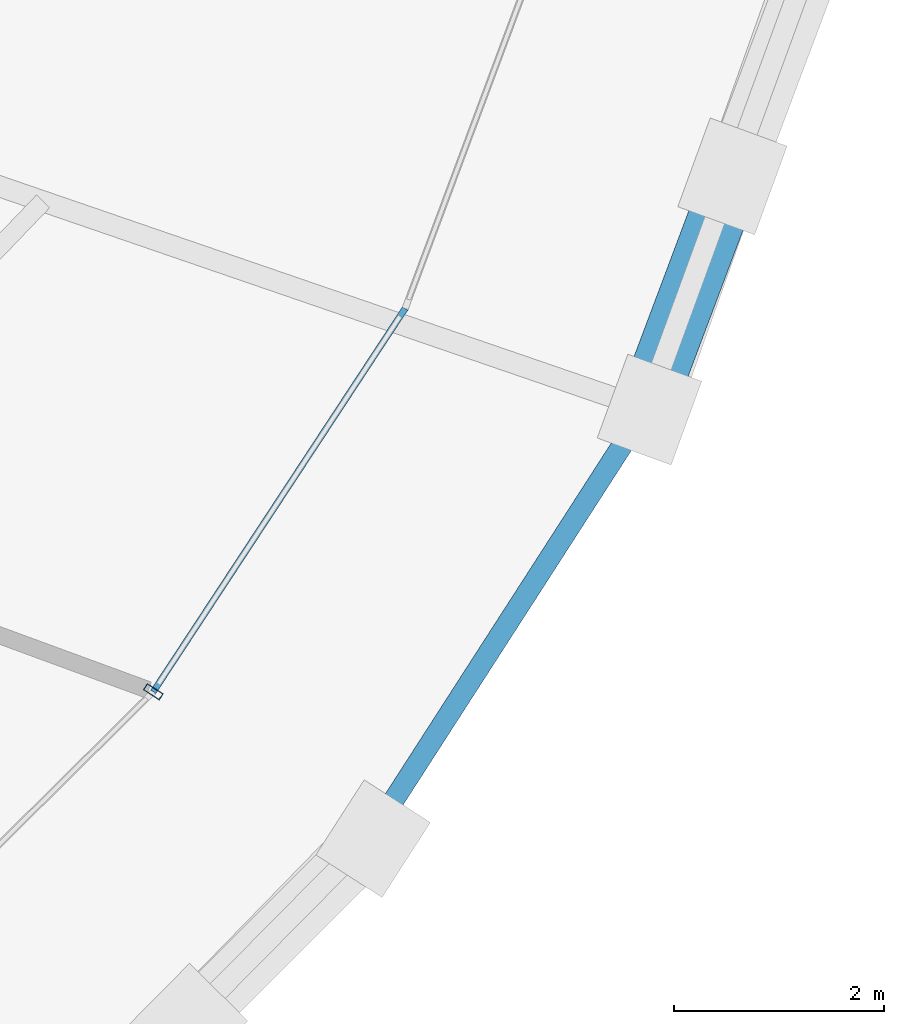
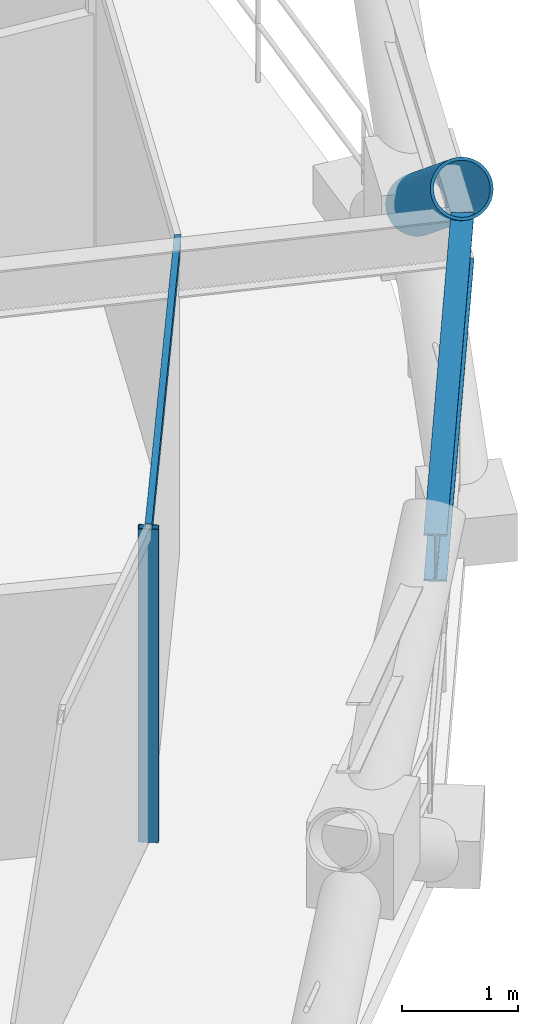
# One storey, part 7 of 21: 3 members, 1 beam, 1 element without a shape of its own.
"""IFC4 building model written with IfcOpenShell, lengths in metres."""

from ifc_helpers import new_model, si_unit, direction, frame, origin, origin_2d, place, context, subcontext, project, spatial, hollow_rectangle, hollow_circle, i_section, extrude, material, layer, layer_set, material_profile, profile_set, type_object, element, aggregate, save


model = new_model("IFC4")

# Units and contexts
model_context = context("Model", 3, precision=1e-05, world=origin(), true_north=direction((0.0, 1.0)))
body_context = subcontext(model_context, "Body", "Model", "MODEL_VIEW")
ifc_project = project(units=[si_unit("LENGTHUNIT", "METRE"), si_unit("AREAUNIT", "SQUARE_METRE"), si_unit("VOLUMEUNIT", "CUBIC_METRE"), si_unit("PLANEANGLEUNIT", "RADIAN"), si_unit("MASSUNIT", "GRAM", prefix="KILO")], contexts=[model_context])

# Site, building, storey
site_placement = place(None, origin())
site = spatial("IfcSite", under=ifc_project, at=site_placement, CompositionType="ELEMENT")
building_placement = place(site_placement, origin())
building = spatial("IfcBuilding", under=site, at=building_placement, Name="Veldorina Hangang Commons", CompositionType="ELEMENT")
storey_placement = place(building_placement, frame((0.0, 0.0, 135.199951171875)))
storey = spatial("IfcBuildingStorey", under=building, at=storey_placement, Name="L34", CompositionType="ELEMENT", Elevation=135.199951171875)

# Beam
ifc_material_1 = material(Name="Steel SM420-TMC", Category="steel")
ifc_material_profile_1 = material_profile(ifc_material_1, i_section(OverallWidth=0.199951171875, OverallDepth=0.5, WebThickness=0.010009765625, FlangeThickness=0.01611328125, FilletRadius=0.01611328125, at=origin_2d()), Name="H-500x200x10x16")
ifc_profile_set_1 = profile_set([ifc_material_profile_1], Name="Steel SM420-TMC")
beam_type = type_object("IfcBeamType", Name="BM-RB500", PredefinedType="BEAM", material=ifc_profile_set_1)
beam_placement = place(storey_placement, frame((55.667236328125, 10.874755859375, 3.10009765625), z_axis=(0.541455905961, 0.840729148953, 0.0), x_axis=(-0.840729148953, 0.541455905961, 0.0)))
element("IfcBeam", 1, at=beam_placement, inside=storey, type_object=beam_type, Name="L34 perimeter hoop ring beam 29", PredefinedType="BEAM", context=body_context, shape_type="SweptSolid", body=[
    extrude(i_section(OverallWidth=0.199951171875, OverallDepth=0.5, WebThickness=0.010009765625, FlangeThickness=0.01611328125, FilletRadius=0.01611328125, at=origin_2d()), origin(), (0.0, 0.0, 1.0), 4.85791015625),
])

# Curtain wall, members
ifc_material_2 = material(Name="Glass Low-E Triple IGU", Category="glass")
ifc_layer = layer(ifc_material_2, 0.179931640625)
ifc_layer_set = layer_set([ifc_layer], Name="Glass Low-E Triple IGU")
curtain_wall_type = type_object("IfcCurtainWallType", Name="CW-SYS-Z2", PredefinedType="NOTDEFINED", material=ifc_layer_set)
curtain_wall_placement = place(storey_placement, origin())
curtain_wall = element("IfcCurtainWall", 2, at=curtain_wall_placement, inside=storey, type_object=curtain_wall_type, Name="L34 unitised curtain wall CW-L34-R2", PredefinedType="NOTDEFINED")
ifc_material_3 = material(Name="Aluminium Anodized AA6063-T6", Category="aluminium")
ifc_material_profile_2 = material_profile(ifc_material_3, hollow_rectangle(XDim=0.070068359375, YDim=0.179931640625, WallThickness=0.00390625, at=origin_2d()), Name="ALU-RHS-180x70x4")
ifc_profile_set_2 = profile_set([ifc_material_profile_2], Name="Aluminium Anodized AA6063-T6")
member_type_1 = type_object("IfcMemberType", Name="CW-MUL-180", PredefinedType="MULLION", material=ifc_profile_set_2)
member_1_placement = place(storey_placement, frame((53.602783203125, 12.26025390625, 0.0), z_axis=(0.0, 0.0, 1.0), x_axis=(0.54919785704, 0.835692355968, 0.0)))
member_1 = element("IfcMember", 3, at=member_1_placement, type_object=member_type_1, Name="CW-L34-R2 vertical mullion 2", PredefinedType="MULLION", context=body_context, shape_type="SweptSolid", body=[
    extrude(hollow_rectangle(XDim=0.070068359375, YDim=0.179931640625, WallThickness=0.00390625, at=origin_2d()), origin(), (0.0, 0.0, 1.0), 3.31005859375),
])
ifc_material_profile_3 = material_profile(ifc_material_3, hollow_rectangle(XDim=0.06005859375, YDim=0.139892578125, WallThickness=0.00341796875, at=origin_2d()), Name="ALU-RHS-140x60x3.5")
ifc_profile_set_3 = profile_set([ifc_material_profile_3], Name="Aluminium Anodized AA6063-T6")
member_type_2 = type_object("IfcMemberType", Name="CW-TRN-140", PredefinedType="USERDEFINED", material=ifc_profile_set_3)
member_2_placement = place(storey_placement, frame((53.602783203125, 12.26025390625, 3.27001953125), z_axis=(0.54919794552, 0.83569229782, 0.0), x_axis=(-0.83569229782, 0.54919794552, 0.0)))
member_2 = element("IfcMember", 4, at=member_2_placement, type_object=member_type_2, Name="CW-L34-R2 facet 3 transom 1", ObjectType="TRANSOM", PredefinedType="USERDEFINED", context=body_context, shape_type="SweptSolid", body=[
    extrude(hollow_rectangle(XDim=0.06005859375, YDim=0.139892578125, WallThickness=0.00341796875, at=origin_2d()), origin(), (0.0, 0.0, 1.0), 4.37158203125),
])
aggregate(curtain_wall, [member_1, member_2])

# Member
ifc_material_profile_4 = material_profile(ifc_material_1, hollow_circle(Radius=0.27490234375, WallThickness=0.028076171875, at=origin_2d()), Name="CHS-550x28")
ifc_profile_set_4 = profile_set([ifc_material_profile_4], Name="Steel SM420-TMC")
member_type_3 = type_object("IfcMemberType", Name="DG-CHS550", PredefinedType="BRACE", material=ifc_profile_set_4)
member_3_placement = place(storey_placement, frame((59.122314453125, 17.171875, 1.80126953125), z_axis=(-0.279670597214, -0.744774066147, 0.60588443407), x_axis=(0.936171913148, -0.351542528057, 0.0)))
element("IfcMember", 5, at=member_3_placement, inside=storey, type_object=member_type_3, Name="L34 split perimeter diagrid upper brace 31", PredefinedType="BRACE", context=body_context, shape_type="SweptSolid", body=[
    extrude(hollow_circle(Radius=0.27490234375, WallThickness=0.028076171875, at=origin_2d()), origin(), (0.0, 0.0, 1.0), 2.968994140625),
])

save(model, "model.ifc")
